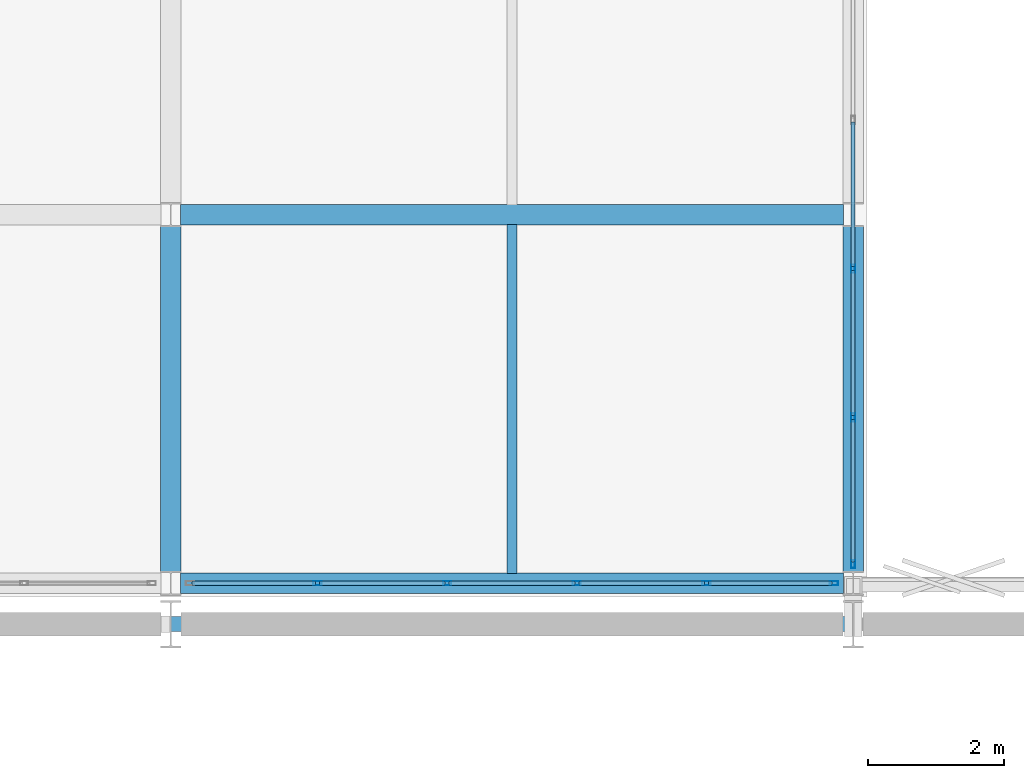
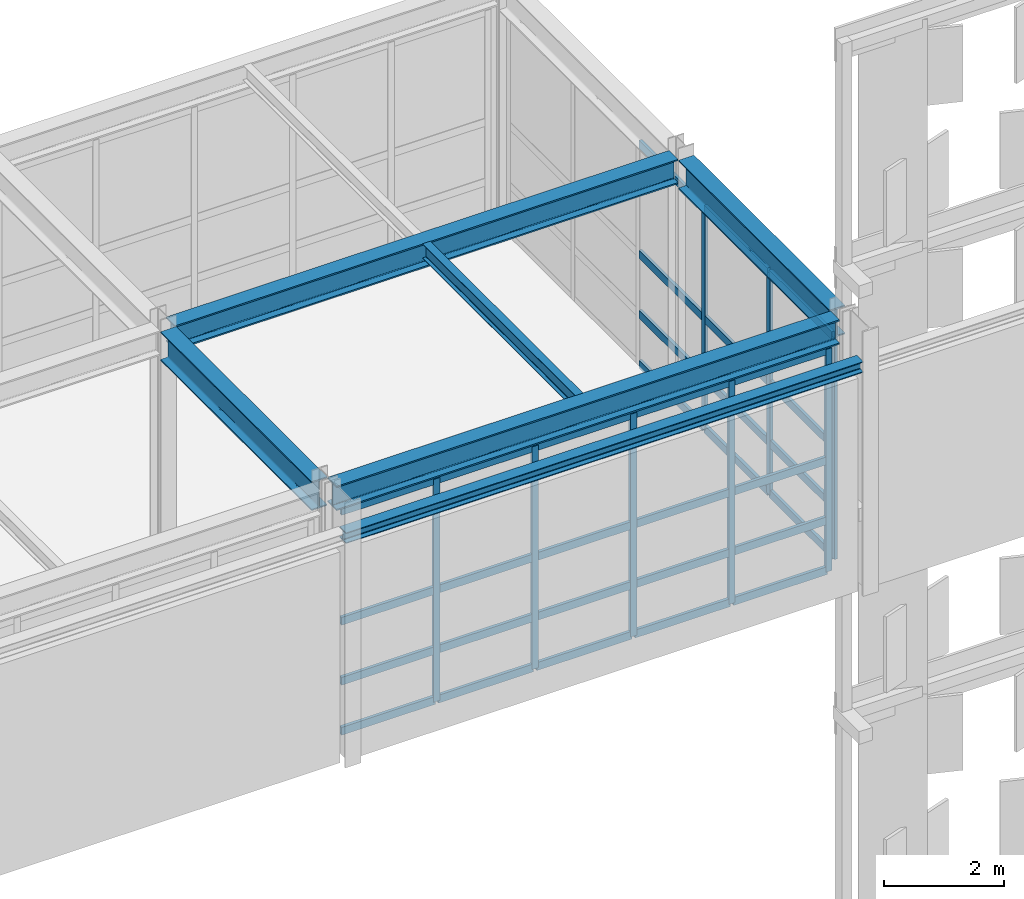
# One storey, part 169 of 239: 40 members, 6 beams, 2 elements without a shape of their own.
"""IFC4 building model written with IfcOpenShell, lengths in metres."""

from ifc_helpers import new_model, si_unit, direction, frame, origin, origin_2d, place, context, subcontext, project, spatial, hollow_rectangle, i_section, extrude, material, material_profile, profile_set, type_object, element, aggregate, save


model = new_model("IFC4")

# Units and contexts
model_context = context("Model", 3, precision=1e-05, world=origin(), true_north=direction((0.0, 1.0)))
body_context = subcontext(model_context, "Body", "Model", "MODEL_VIEW")
ifc_project = project(units=[si_unit("LENGTHUNIT", "METRE"), si_unit("AREAUNIT", "SQUARE_METRE"), si_unit("VOLUMEUNIT", "CUBIC_METRE"), si_unit("PLANEANGLEUNIT", "RADIAN"), si_unit("MASSUNIT", "GRAM", prefix="KILO")], contexts=[model_context])

# Site, building, storey
site_placement = place(None, origin())
site = spatial("IfcSite", under=ifc_project, at=site_placement, CompositionType="ELEMENT")
building_placement = place(site_placement, origin())
building = spatial("IfcBuilding", under=site, at=building_placement, Name="Kaldris Quays Convention Centre", CompositionType="ELEMENT")
storey_placement = place(building_placement, frame((0.0, 0.0, 11.39990234375)))
storey = spatial("IfcBuildingStorey", under=building, at=storey_placement, Name="L02", CompositionType="ELEMENT", Elevation=11.39990234375)

# Curtain wall, members
ifc_material_1 = material(Name="Anodized aluminium AW-6060 and triple glazing", Category="aluminium")
curtain_wall_type = type_object("IfcCurtainWallType", Name="UNITISED CURTAIN WALL CW06", PredefinedType="NOTDEFINED", material=ifc_material_1)
curtain_wall_1_placement = place(storey_placement, origin())
curtain_wall_1 = element("IfcCurtainWall", 1, at=curtain_wall_1_placement, inside=storey, type_object=curtain_wall_type, Name="L02 Unitised Curtain Wall CW06 171", PredefinedType="NOTDEFINED")
ifc_material_2 = material(Name="Anodized aluminium AW-6060", Category="aluminium")
ifc_material_profile_1 = material_profile(ifc_material_2, hollow_rectangle(XDim=0.06005859375, YDim=0.1201171875, WallThickness=0.00390625, at=origin_2d()), Name="RHS 120x60x4")
ifc_profile_set_1 = profile_set([ifc_material_profile_1], Name="Anodized aluminium AW-6060")
member_type_1 = type_object("IfcMemberType", Name="CURTAIN MULLION CWM3", PredefinedType="MULLION", material=ifc_profile_set_1)
member_1_placement = place(storey_placement, frame((186.14990234375, 104.60009765625, 0.0), z_axis=(0.0, 0.0, 1.0), x_axis=(0.0, 1.0, 0.0)))
member_1 = element("IfcMember", 2, at=member_1_placement, type_object=member_type_1, Name="CW06 mullion 2", PredefinedType="MULLION", context=body_context, shape_type="SweptSolid", body=[
    extrude(hollow_rectangle(XDim=0.06005859375, YDim=0.1201171875, WallThickness=0.00390625, at=origin_2d()), origin(), (0.0, 0.0, 1.0), 4.548095703125),
])
member_2_placement = place(storey_placement, frame((188.050048828125, 104.60009765625, 0.0), z_axis=(0.0, 0.0, 1.0), x_axis=(0.0, 1.0, 0.0)))
member_2 = element("IfcMember", 3, at=member_2_placement, type_object=member_type_1, Name="CW06 mullion 3", PredefinedType="MULLION", context=body_context, shape_type="SweptSolid", body=[
    extrude(hollow_rectangle(XDim=0.06005859375, YDim=0.1201171875, WallThickness=0.00390625, at=origin_2d()), origin(), (0.0, 0.0, 1.0), 4.548095703125),
])
member_3_placement = place(storey_placement, frame((189.949951171875, 104.60009765625, 0.0), z_axis=(0.0, 0.0, 1.0), x_axis=(0.0, 1.0, 0.0)))
member_3 = element("IfcMember", 4, at=member_3_placement, type_object=member_type_1, Name="CW06 mullion 4", PredefinedType="MULLION", context=body_context, shape_type="SweptSolid", body=[
    extrude(hollow_rectangle(XDim=0.06005859375, YDim=0.1201171875, WallThickness=0.00390625, at=origin_2d()), origin(), (0.0, 0.0, 1.0), 4.548095703125),
])
member_4_placement = place(storey_placement, frame((191.85009765625, 104.60009765625, 0.0), z_axis=(0.0, 0.0, 1.0), x_axis=(0.0, 1.0, 0.0)))
member_4 = element("IfcMember", 5, at=member_4_placement, type_object=member_type_1, Name="CW06 mullion 5", PredefinedType="MULLION", context=body_context, shape_type="SweptSolid", body=[
    extrude(hollow_rectangle(XDim=0.06005859375, YDim=0.1201171875, WallThickness=0.00390625, at=origin_2d()), origin(), (0.0, 0.0, 1.0), 4.548095703125),
])
member_5_placement = place(storey_placement, frame((193.719970703125, 104.60009765625, 0.0), z_axis=(0.0, 0.0, 1.0), x_axis=(0.0, 1.0, 0.0)))
member_5 = element("IfcMember", 6, at=member_5_placement, type_object=member_type_1, Name="CW06 mullion 6", PredefinedType="MULLION", context=body_context, shape_type="SweptSolid", body=[
    extrude(hollow_rectangle(XDim=0.06005859375, YDim=0.1201171875, WallThickness=0.00390625, at=origin_2d()), origin(), (0.0, 0.0, 1.0), 4.548095703125),
])

curtain_wall_2_placement = place(storey_placement, origin())
curtain_wall_2 = element("IfcCurtainWall", 7, at=curtain_wall_2_placement, inside=storey, type_object=curtain_wall_type, Name="L02 Unitised Curtain Wall CW06 172", PredefinedType="NOTDEFINED")
member_6_placement = place(storey_placement, frame((194.0, 104.8798828125, 0.0), z_axis=(0.0, 0.0, 1.0), x_axis=(-1.0, 0.0, 0.0)))
member_6 = element("IfcMember", 8, at=member_6_placement, type_object=member_type_1, Name="CW06 mullion 1", PredefinedType="MULLION", context=body_context, shape_type="SweptSolid", body=[
    extrude(hollow_rectangle(XDim=0.06005859375, YDim=0.1201171875, WallThickness=0.00390625, at=origin_2d()), origin(), (0.0, 0.0, 1.0), 4.548095703125),
])
member_7_placement = place(storey_placement, frame((194.0, 107.030029296875, 0.0), z_axis=(0.0, 0.0, 1.0), x_axis=(-1.0, 0.0, 0.0)))
member_7 = element("IfcMember", 9, at=member_7_placement, type_object=member_type_1, Name="CW06 mullion 2", PredefinedType="MULLION", context=body_context, shape_type="SweptSolid", body=[
    extrude(hollow_rectangle(XDim=0.06005859375, YDim=0.1201171875, WallThickness=0.00390625, at=origin_2d()), origin(), (0.0, 0.0, 1.0), 4.548095703125),
])
member_8_placement = place(storey_placement, frame((194.0, 109.2099609375, 0.0), z_axis=(0.0, 0.0, 1.0), x_axis=(-1.0, 0.0, 0.0)))
member_8 = element("IfcMember", 10, at=member_8_placement, type_object=member_type_1, Name="CW06 mullion 3", PredefinedType="MULLION", context=body_context, shape_type="SweptSolid", body=[
    extrude(hollow_rectangle(XDim=0.06005859375, YDim=0.1201171875, WallThickness=0.00390625, at=origin_2d()), origin(), (0.0, 0.0, 1.0), 4.548095703125),
])

# Member
ifc_material_profile_2 = material_profile(ifc_material_2, hollow_rectangle(XDim=0.06005859375, YDim=0.159912109375, WallThickness=0.00390625, at=origin_2d()), Name="RHS 160x60x4")
ifc_profile_set_2 = profile_set([ifc_material_profile_2], Name="Anodized aluminium AW-6060")
member_type_2 = type_object("IfcMemberType", Name="CURTAIN TRANSOM CWT2", PredefinedType="USERDEFINED", material=ifc_profile_set_2)
member_9_placement = place(storey_placement, frame((184.31005859375, 104.60009765625, 0.030029296875), z_axis=(1.0, 0.0, 0.0), x_axis=(0.0, 1.0, 0.0)))
member_9 = element("IfcMember", 11, at=member_9_placement, type_object=member_type_2, Name="CW06 transom 1.1", ObjectType="TRANSOM", PredefinedType="USERDEFINED", context=body_context, shape_type="SweptSolid", body=[
    extrude(hollow_rectangle(XDim=0.06005859375, YDim=0.159912109375, WallThickness=0.00390625, at=origin_2d()), origin(), (0.0, 0.0, 1.0), 1.81005859375),
])

member_10_placement = place(storey_placement, frame((184.31005859375, 104.60009765625, 1.050048828125), z_axis=(1.0, 0.0, 0.0), x_axis=(0.0, 1.0, 0.0)))
member_10 = element("IfcMember", 12, at=member_10_placement, type_object=member_type_2, Name="CW06 transom 1.2", ObjectType="TRANSOM", PredefinedType="USERDEFINED", context=body_context, shape_type="SweptSolid", body=[
    extrude(hollow_rectangle(XDim=0.06005859375, YDim=0.159912109375, WallThickness=0.00390625, at=origin_2d()), origin(), (0.0, 0.0, 1.0), 1.81005859375),
])

member_11_placement = place(storey_placement, frame((184.31005859375, 104.60009765625, 2.274169921875), z_axis=(1.0, 0.0, 0.0), x_axis=(0.0, 1.0, 0.0)))
member_11 = element("IfcMember", 13, at=member_11_placement, type_object=member_type_2, Name="CW06 transom 1.3", ObjectType="TRANSOM", PredefinedType="USERDEFINED", context=body_context, shape_type="SweptSolid", body=[
    extrude(hollow_rectangle(XDim=0.06005859375, YDim=0.159912109375, WallThickness=0.00390625, at=origin_2d()), origin(), (0.0, 0.0, 1.0), 1.81005859375),
])

member_12_placement = place(storey_placement, frame((184.31005859375, 104.60009765625, 4.51806640625), z_axis=(1.0, 0.0, 0.0), x_axis=(0.0, 1.0, 0.0)))
member_12 = element("IfcMember", 14, at=member_12_placement, type_object=member_type_2, Name="CW06 transom 1.4", ObjectType="TRANSOM", PredefinedType="USERDEFINED", context=body_context, shape_type="SweptSolid", body=[
    extrude(hollow_rectangle(XDim=0.06005859375, YDim=0.159912109375, WallThickness=0.00390625, at=origin_2d()), origin(), (0.0, 0.0, 1.0), 1.81005859375),
])

member_13_placement = place(storey_placement, frame((186.179931640625, 104.60009765625, 0.030029296875), z_axis=(1.0, 0.0, 0.0), x_axis=(0.0, 1.0, 0.0)))
member_13 = element("IfcMember", 15, at=member_13_placement, type_object=member_type_2, Name="CW06 transom 2.1", ObjectType="TRANSOM", PredefinedType="USERDEFINED", context=body_context, shape_type="SweptSolid", body=[
    extrude(hollow_rectangle(XDim=0.06005859375, YDim=0.159912109375, WallThickness=0.00390625, at=origin_2d()), origin(), (0.0, 0.0, 1.0), 1.840087890625),
])

member_14_placement = place(storey_placement, frame((186.179931640625, 104.60009765625, 1.050048828125), z_axis=(1.0, 0.0, 0.0), x_axis=(0.0, 1.0, 0.0)))
member_14 = element("IfcMember", 16, at=member_14_placement, type_object=member_type_2, Name="CW06 transom 2.2", ObjectType="TRANSOM", PredefinedType="USERDEFINED", context=body_context, shape_type="SweptSolid", body=[
    extrude(hollow_rectangle(XDim=0.06005859375, YDim=0.159912109375, WallThickness=0.00390625, at=origin_2d()), origin(), (0.0, 0.0, 1.0), 1.840087890625),
])

member_15_placement = place(storey_placement, frame((186.179931640625, 104.60009765625, 2.274169921875), z_axis=(1.0, 0.0, 0.0), x_axis=(0.0, 1.0, 0.0)))
member_15 = element("IfcMember", 17, at=member_15_placement, type_object=member_type_2, Name="CW06 transom 2.3", ObjectType="TRANSOM", PredefinedType="USERDEFINED", context=body_context, shape_type="SweptSolid", body=[
    extrude(hollow_rectangle(XDim=0.06005859375, YDim=0.159912109375, WallThickness=0.00390625, at=origin_2d()), origin(), (0.0, 0.0, 1.0), 1.840087890625),
])

member_16_placement = place(storey_placement, frame((186.179931640625, 104.60009765625, 4.51806640625), z_axis=(1.0, 0.0, 0.0), x_axis=(0.0, 1.0, 0.0)))
member_16 = element("IfcMember", 18, at=member_16_placement, type_object=member_type_2, Name="CW06 transom 2.4", ObjectType="TRANSOM", PredefinedType="USERDEFINED", context=body_context, shape_type="SweptSolid", body=[
    extrude(hollow_rectangle(XDim=0.06005859375, YDim=0.159912109375, WallThickness=0.00390625, at=origin_2d()), origin(), (0.0, 0.0, 1.0), 1.840087890625),
])

member_17_placement = place(storey_placement, frame((188.080078125, 104.60009765625, 0.030029296875), z_axis=(1.0, 0.0, 0.0), x_axis=(0.0, 1.0, 0.0)))
member_17 = element("IfcMember", 19, at=member_17_placement, type_object=member_type_2, Name="CW06 transom 3.1", ObjectType="TRANSOM", PredefinedType="USERDEFINED", context=body_context, shape_type="SweptSolid", body=[
    extrude(hollow_rectangle(XDim=0.06005859375, YDim=0.159912109375, WallThickness=0.00390625, at=origin_2d()), origin(), (0.0, 0.0, 1.0), 1.83984375),
])

member_18_placement = place(storey_placement, frame((188.080078125, 104.60009765625, 1.050048828125), z_axis=(1.0, 0.0, 0.0), x_axis=(0.0, 1.0, 0.0)))
member_18 = element("IfcMember", 20, at=member_18_placement, type_object=member_type_2, Name="CW06 transom 3.2", ObjectType="TRANSOM", PredefinedType="USERDEFINED", context=body_context, shape_type="SweptSolid", body=[
    extrude(hollow_rectangle(XDim=0.06005859375, YDim=0.159912109375, WallThickness=0.00390625, at=origin_2d()), origin(), (0.0, 0.0, 1.0), 1.83984375),
])

member_19_placement = place(storey_placement, frame((188.080078125, 104.60009765625, 2.274169921875), z_axis=(1.0, 0.0, 0.0), x_axis=(0.0, 1.0, 0.0)))
member_19 = element("IfcMember", 21, at=member_19_placement, type_object=member_type_2, Name="CW06 transom 3.3", ObjectType="TRANSOM", PredefinedType="USERDEFINED", context=body_context, shape_type="SweptSolid", body=[
    extrude(hollow_rectangle(XDim=0.06005859375, YDim=0.159912109375, WallThickness=0.00390625, at=origin_2d()), origin(), (0.0, 0.0, 1.0), 1.83984375),
])

member_20_placement = place(storey_placement, frame((188.080078125, 104.60009765625, 4.51806640625), z_axis=(1.0, 0.0, 0.0), x_axis=(0.0, 1.0, 0.0)))
member_20 = element("IfcMember", 22, at=member_20_placement, type_object=member_type_2, Name="CW06 transom 3.4", ObjectType="TRANSOM", PredefinedType="USERDEFINED", context=body_context, shape_type="SweptSolid", body=[
    extrude(hollow_rectangle(XDim=0.06005859375, YDim=0.159912109375, WallThickness=0.00390625, at=origin_2d()), origin(), (0.0, 0.0, 1.0), 1.83984375),
])

member_21_placement = place(storey_placement, frame((189.97998046875, 104.60009765625, 0.030029296875), z_axis=(1.0, 0.0, 0.0), x_axis=(0.0, 1.0, 0.0)))
member_21 = element("IfcMember", 23, at=member_21_placement, type_object=member_type_2, Name="CW06 transom 4.1", ObjectType="TRANSOM", PredefinedType="USERDEFINED", context=body_context, shape_type="SweptSolid", body=[
    extrude(hollow_rectangle(XDim=0.06005859375, YDim=0.159912109375, WallThickness=0.00390625, at=origin_2d()), origin(), (0.0, 0.0, 1.0), 1.840087890625),
])

member_22_placement = place(storey_placement, frame((189.97998046875, 104.60009765625, 1.050048828125), z_axis=(1.0, 0.0, 0.0), x_axis=(0.0, 1.0, 0.0)))
member_22 = element("IfcMember", 24, at=member_22_placement, type_object=member_type_2, Name="CW06 transom 4.2", ObjectType="TRANSOM", PredefinedType="USERDEFINED", context=body_context, shape_type="SweptSolid", body=[
    extrude(hollow_rectangle(XDim=0.06005859375, YDim=0.159912109375, WallThickness=0.00390625, at=origin_2d()), origin(), (0.0, 0.0, 1.0), 1.840087890625),
])

member_23_placement = place(storey_placement, frame((189.97998046875, 104.60009765625, 2.274169921875), z_axis=(1.0, 0.0, 0.0), x_axis=(0.0, 1.0, 0.0)))
member_23 = element("IfcMember", 25, at=member_23_placement, type_object=member_type_2, Name="CW06 transom 4.3", ObjectType="TRANSOM", PredefinedType="USERDEFINED", context=body_context, shape_type="SweptSolid", body=[
    extrude(hollow_rectangle(XDim=0.06005859375, YDim=0.159912109375, WallThickness=0.00390625, at=origin_2d()), origin(), (0.0, 0.0, 1.0), 1.840087890625),
])

member_24_placement = place(storey_placement, frame((189.97998046875, 104.60009765625, 4.51806640625), z_axis=(1.0, 0.0, 0.0), x_axis=(0.0, 1.0, 0.0)))
member_24 = element("IfcMember", 26, at=member_24_placement, type_object=member_type_2, Name="CW06 transom 4.4", ObjectType="TRANSOM", PredefinedType="USERDEFINED", context=body_context, shape_type="SweptSolid", body=[
    extrude(hollow_rectangle(XDim=0.06005859375, YDim=0.159912109375, WallThickness=0.00390625, at=origin_2d()), origin(), (0.0, 0.0, 1.0), 1.840087890625),
])

member_25_placement = place(storey_placement, frame((191.8798828125, 104.60009765625, 0.030029296875), z_axis=(1.0, 0.0, 0.0), x_axis=(0.0, 1.0, 0.0)))
member_25 = element("IfcMember", 27, at=member_25_placement, type_object=member_type_2, Name="CW06 transom 5.1", ObjectType="TRANSOM", PredefinedType="USERDEFINED", context=body_context, shape_type="SweptSolid", body=[
    extrude(hollow_rectangle(XDim=0.06005859375, YDim=0.159912109375, WallThickness=0.00390625, at=origin_2d()), origin(), (0.0, 0.0, 1.0), 1.81005859375),
])

member_26_placement = place(storey_placement, frame((191.8798828125, 104.60009765625, 1.050048828125), z_axis=(1.0, 0.0, 0.0), x_axis=(0.0, 1.0, 0.0)))
member_26 = element("IfcMember", 28, at=member_26_placement, type_object=member_type_2, Name="CW06 transom 5.2", ObjectType="TRANSOM", PredefinedType="USERDEFINED", context=body_context, shape_type="SweptSolid", body=[
    extrude(hollow_rectangle(XDim=0.06005859375, YDim=0.159912109375, WallThickness=0.00390625, at=origin_2d()), origin(), (0.0, 0.0, 1.0), 1.81005859375),
])

member_27_placement = place(storey_placement, frame((191.8798828125, 104.60009765625, 2.274169921875), z_axis=(1.0, 0.0, 0.0), x_axis=(0.0, 1.0, 0.0)))
member_27 = element("IfcMember", 29, at=member_27_placement, type_object=member_type_2, Name="CW06 transom 5.3", ObjectType="TRANSOM", PredefinedType="USERDEFINED", context=body_context, shape_type="SweptSolid", body=[
    extrude(hollow_rectangle(XDim=0.06005859375, YDim=0.159912109375, WallThickness=0.00390625, at=origin_2d()), origin(), (0.0, 0.0, 1.0), 1.81005859375),
])

member_28_placement = place(storey_placement, frame((191.8798828125, 104.60009765625, 4.51806640625), z_axis=(1.0, 0.0, 0.0), x_axis=(0.0, 1.0, 0.0)))
member_28 = element("IfcMember", 30, at=member_28_placement, type_object=member_type_2, Name="CW06 transom 5.4", ObjectType="TRANSOM", PredefinedType="USERDEFINED", context=body_context, shape_type="SweptSolid", body=[
    extrude(hollow_rectangle(XDim=0.06005859375, YDim=0.159912109375, WallThickness=0.00390625, at=origin_2d()), origin(), (0.0, 0.0, 1.0), 1.81005859375),
])

aggregate(curtain_wall_1, [member_1, member_2, member_3, member_4, member_5, member_9, member_10, member_11, member_12, member_13, member_14, member_15, member_16, member_17, member_18, member_19, member_20, member_21, member_22, member_23, member_24, member_25, member_26, member_27, member_28])

member_29_placement = place(storey_placement, frame((194.0, 104.909912109375, 0.030029296875), z_axis=(0.0, 1.0, 0.0), x_axis=(-1.0, 0.0, 0.0)))
member_29 = element("IfcMember", 31, at=member_29_placement, type_object=member_type_2, Name="CW06 transom 1.1", ObjectType="TRANSOM", PredefinedType="USERDEFINED", context=body_context, shape_type="SweptSolid", body=[
    extrude(hollow_rectangle(XDim=0.06005859375, YDim=0.159912109375, WallThickness=0.00390625, at=origin_2d()), origin(), (0.0, 0.0, 1.0), 2.090087890625),
])

member_30_placement = place(storey_placement, frame((194.0, 104.909912109375, 1.050048828125), z_axis=(0.0, 1.0, 0.0), x_axis=(-1.0, 0.0, 0.0)))
member_30 = element("IfcMember", 32, at=member_30_placement, type_object=member_type_2, Name="CW06 transom 1.2", ObjectType="TRANSOM", PredefinedType="USERDEFINED", context=body_context, shape_type="SweptSolid", body=[
    extrude(hollow_rectangle(XDim=0.06005859375, YDim=0.159912109375, WallThickness=0.00390625, at=origin_2d()), origin(), (0.0, 0.0, 1.0), 2.090087890625),
])

member_31_placement = place(storey_placement, frame((194.0, 104.909912109375, 2.274169921875), z_axis=(0.0, 1.0, 0.0), x_axis=(-1.0, 0.0, 0.0)))
member_31 = element("IfcMember", 33, at=member_31_placement, type_object=member_type_2, Name="CW06 transom 1.3", ObjectType="TRANSOM", PredefinedType="USERDEFINED", context=body_context, shape_type="SweptSolid", body=[
    extrude(hollow_rectangle(XDim=0.06005859375, YDim=0.159912109375, WallThickness=0.00390625, at=origin_2d()), origin(), (0.0, 0.0, 1.0), 2.090087890625),
])

member_32_placement = place(storey_placement, frame((194.0, 104.909912109375, 4.51806640625), z_axis=(0.0, 1.0, 0.0), x_axis=(-1.0, 0.0, 0.0)))
member_32 = element("IfcMember", 34, at=member_32_placement, type_object=member_type_2, Name="CW06 transom 1.4", ObjectType="TRANSOM", PredefinedType="USERDEFINED", context=body_context, shape_type="SweptSolid", body=[
    extrude(hollow_rectangle(XDim=0.06005859375, YDim=0.159912109375, WallThickness=0.00390625, at=origin_2d()), origin(), (0.0, 0.0, 1.0), 2.090087890625),
])

member_33_placement = place(storey_placement, frame((194.0, 107.06005859375, 0.030029296875), z_axis=(0.0, 1.0, 0.0), x_axis=(-1.0, 0.0, 0.0)))
member_33 = element("IfcMember", 35, at=member_33_placement, type_object=member_type_2, Name="CW06 transom 2.1", ObjectType="TRANSOM", PredefinedType="USERDEFINED", context=body_context, shape_type="SweptSolid", body=[
    extrude(hollow_rectangle(XDim=0.06005859375, YDim=0.159912109375, WallThickness=0.00390625, at=origin_2d()), origin(), (0.0, 0.0, 1.0), 2.119873046875),
])

member_34_placement = place(storey_placement, frame((194.0, 107.06005859375, 1.050048828125), z_axis=(0.0, 1.0, 0.0), x_axis=(-1.0, 0.0, 0.0)))
member_34 = element("IfcMember", 36, at=member_34_placement, type_object=member_type_2, Name="CW06 transom 2.2", ObjectType="TRANSOM", PredefinedType="USERDEFINED", context=body_context, shape_type="SweptSolid", body=[
    extrude(hollow_rectangle(XDim=0.06005859375, YDim=0.159912109375, WallThickness=0.00390625, at=origin_2d()), origin(), (0.0, 0.0, 1.0), 2.119873046875),
])

member_35_placement = place(storey_placement, frame((194.0, 107.06005859375, 2.274169921875), z_axis=(0.0, 1.0, 0.0), x_axis=(-1.0, 0.0, 0.0)))
member_35 = element("IfcMember", 37, at=member_35_placement, type_object=member_type_2, Name="CW06 transom 2.3", ObjectType="TRANSOM", PredefinedType="USERDEFINED", context=body_context, shape_type="SweptSolid", body=[
    extrude(hollow_rectangle(XDim=0.06005859375, YDim=0.159912109375, WallThickness=0.00390625, at=origin_2d()), origin(), (0.0, 0.0, 1.0), 2.119873046875),
])

member_36_placement = place(storey_placement, frame((194.0, 107.06005859375, 4.51806640625), z_axis=(0.0, 1.0, 0.0), x_axis=(-1.0, 0.0, 0.0)))
member_36 = element("IfcMember", 38, at=member_36_placement, type_object=member_type_2, Name="CW06 transom 2.4", ObjectType="TRANSOM", PredefinedType="USERDEFINED", context=body_context, shape_type="SweptSolid", body=[
    extrude(hollow_rectangle(XDim=0.06005859375, YDim=0.159912109375, WallThickness=0.00390625, at=origin_2d()), origin(), (0.0, 0.0, 1.0), 2.119873046875),
])

member_37_placement = place(storey_placement, frame((194.0, 109.239990234375, 0.030029296875), z_axis=(0.0, 1.0, 0.0), x_axis=(-1.0, 0.0, 0.0)))
member_37 = element("IfcMember", 39, at=member_37_placement, type_object=member_type_2, Name="CW06 transom 3.1", ObjectType="TRANSOM", PredefinedType="USERDEFINED", context=body_context, shape_type="SweptSolid", body=[
    extrude(hollow_rectangle(XDim=0.06005859375, YDim=0.159912109375, WallThickness=0.00390625, at=origin_2d()), origin(), (0.0, 0.0, 1.0), 2.1201171875),
])

member_38_placement = place(storey_placement, frame((194.0, 109.239990234375, 1.050048828125), z_axis=(0.0, 1.0, 0.0), x_axis=(-1.0, 0.0, 0.0)))
member_38 = element("IfcMember", 40, at=member_38_placement, type_object=member_type_2, Name="CW06 transom 3.2", ObjectType="TRANSOM", PredefinedType="USERDEFINED", context=body_context, shape_type="SweptSolid", body=[
    extrude(hollow_rectangle(XDim=0.06005859375, YDim=0.159912109375, WallThickness=0.00390625, at=origin_2d()), origin(), (0.0, 0.0, 1.0), 2.1201171875),
])

member_39_placement = place(storey_placement, frame((194.0, 109.239990234375, 2.274169921875), z_axis=(0.0, 1.0, 0.0), x_axis=(-1.0, 0.0, 0.0)))
member_39 = element("IfcMember", 41, at=member_39_placement, type_object=member_type_2, Name="CW06 transom 3.3", ObjectType="TRANSOM", PredefinedType="USERDEFINED", context=body_context, shape_type="SweptSolid", body=[
    extrude(hollow_rectangle(XDim=0.06005859375, YDim=0.159912109375, WallThickness=0.00390625, at=origin_2d()), origin(), (0.0, 0.0, 1.0), 2.1201171875),
])

member_40_placement = place(storey_placement, frame((194.0, 109.239990234375, 4.51806640625), z_axis=(0.0, 1.0, 0.0), x_axis=(-1.0, 0.0, 0.0)))
member_40 = element("IfcMember", 42, at=member_40_placement, type_object=member_type_2, Name="CW06 transom 3.4", ObjectType="TRANSOM", PredefinedType="USERDEFINED", context=body_context, shape_type="SweptSolid", body=[
    extrude(hollow_rectangle(XDim=0.06005859375, YDim=0.159912109375, WallThickness=0.00390625, at=origin_2d()), origin(), (0.0, 0.0, 1.0), 2.1201171875),
])

aggregate(curtain_wall_2, [member_6, member_7, member_8, member_29, member_30, member_31, member_32, member_33, member_34, member_35, member_36, member_37, member_38, member_39, member_40])

# Beams
ifc_material_3 = material(Name="Steel S355J2", Category="steel")
ifc_material_profile_3 = material_profile(ifc_material_3, i_section(OverallWidth=0.300048828125, OverallDepth=0.5, WebThickness=0.014404296875, FlangeThickness=0.028076171875, FilletRadius=0.027099609375, at=origin_2d()), Name="HEB 500")
ifc_profile_set_3 = profile_set([ifc_material_profile_3], Name="Steel S355J2")
beam_type_1 = type_object("IfcBeamType", Name="STRUCTURAL BEAM BM06", PredefinedType="BEAM", material=ifc_profile_set_3)
for number, where, z_axis, x_axis, name in (
    (43, (184.14404296875, 104.60009765625, 4.9130859375), (1.0, 0.0, 0.0), (0.0, 1.0, 0.0), "L02 Girder BM06 45"),
    (44, (184.14404296875, 110.0, 4.9130859375), (1.0, 0.0, 0.0), (0.0, 1.0, 0.0), "L02 Girder BM06 50"),
):
    element("IfcBeam", number, at=place(storey_placement, frame(where, z_axis=z_axis, x_axis=x_axis)), inside=storey, type_object=beam_type_1, Name=name, PredefinedType="BEAM", context=body_context, shape_type="SweptSolid", body=[
        extrude(i_section(OverallWidth=0.300048828125, OverallDepth=0.5, WebThickness=0.014404296875, FlangeThickness=0.028076171875, FilletRadius=0.027099609375, at=origin_2d()), origin(), (0.0, 0.0, 1.0), 9.7119140625),
    ])
ifc_material_profile_4 = material_profile(ifc_material_3, i_section(OverallWidth=0.300048828125, OverallDepth=0.590087890625, WebThickness=0.012939453125, FlangeThickness=0.02490234375, FilletRadius=0.027099609375, at=origin_2d()), Name="HEA 600")
ifc_profile_set_4 = profile_set([ifc_material_profile_4], Name="Steel S355J2")
beam_type_2 = type_object("IfcBeamType", Name="STRUCTURAL BEAM BM08", PredefinedType="BEAM", material=ifc_profile_set_4)
for number, where, z_axis, x_axis, name in (
    (45, (184.0, 104.77392578125, 4.8681640625), (0.0, 1.0, 0.0), (-1.0, 0.0, 0.0), "L02 Girder BM08 106"),
    (46, (194.0, 104.77392578125, 4.8681640625), (0.0, 1.0, 0.0), (-1.0, 0.0, 0.0), "L02 Girder BM08 108"),
):
    element("IfcBeam", number, at=place(storey_placement, frame(where, z_axis=z_axis, x_axis=x_axis)), inside=storey, type_object=beam_type_2, Name=name, PredefinedType="BEAM", context=body_context, shape_type="SweptSolid", body=[
        extrude(i_section(OverallWidth=0.300048828125, OverallDepth=0.590087890625, WebThickness=0.012939453125, FlangeThickness=0.02490234375, FilletRadius=0.027099609375, at=origin_2d()), origin(), (0.0, 0.0, 1.0), 5.052001953125),
    ])
ifc_material_profile_5 = material_profile(ifc_material_3, i_section(OverallWidth=0.14990234375, OverallDepth=0.300048828125, WebThickness=0.007080078125, FlangeThickness=0.0107421875, FilletRadius=0.014892578125, at=origin_2d()), Name="IPE 300")
ifc_profile_set_5 = profile_set([ifc_material_profile_5], Name="Steel S355J2")
beam_type_3 = type_object("IfcBeamType", Name="STRUCTURAL BEAM JT04", PredefinedType="JOIST", material=ifc_profile_set_5)
beam_1_placement = place(storey_placement, frame((189.0, 104.743896484375, 5.01318359375), z_axis=(0.0, 1.0, 0.0), x_axis=(-1.0, 0.0, 0.0)))
element("IfcBeam", 47, at=beam_1_placement, inside=storey, type_object=beam_type_3, Name="L02 Secondary Joist JT04 30", PredefinedType="JOIST", context=body_context, shape_type="SweptSolid", body=[
    extrude(i_section(OverallWidth=0.14990234375, OverallDepth=0.300048828125, WebThickness=0.007080078125, FlangeThickness=0.0107421875, FilletRadius=0.014892578125, at=origin_2d()), origin(), (0.0, 0.0, 1.0), 5.112060546875),
])
ifc_material_profile_6 = material_profile(ifc_material_3, i_section(OverallWidth=0.219970703125, OverallDepth=0.219970703125, WebThickness=0.009521484375, FlangeThickness=0.01611328125, FilletRadius=0.01806640625, at=origin_2d()), Name="HEB 220")
ifc_profile_set_6 = profile_set([ifc_material_profile_6], Name="Steel S355J2")
beam_type_4 = type_object("IfcBeamType", Name="STRUCTURAL BEAM SP05", PredefinedType="SPANDREL", material=ifc_profile_set_6)
beam_2_placement = place(storey_placement, frame((184.006103515625, 104.0, 4.489990234375), z_axis=(1.0, 0.0, 0.0), x_axis=(0.0, 1.0, 0.0)))
element("IfcBeam", 48, at=beam_2_placement, inside=storey, type_object=beam_type_4, Name="L02 Perimeter Wall-Bearing Spandrel SP05 71", PredefinedType="SPANDREL", context=body_context, shape_type="SweptSolid", body=[
    extrude(i_section(OverallWidth=0.219970703125, OverallDepth=0.219970703125, WebThickness=0.009521484375, FlangeThickness=0.01611328125, FilletRadius=0.01806640625, at=origin_2d()), origin(), (0.0, 0.0, 1.0), 9.98779296875),
])

save(model, "model.ifc")
